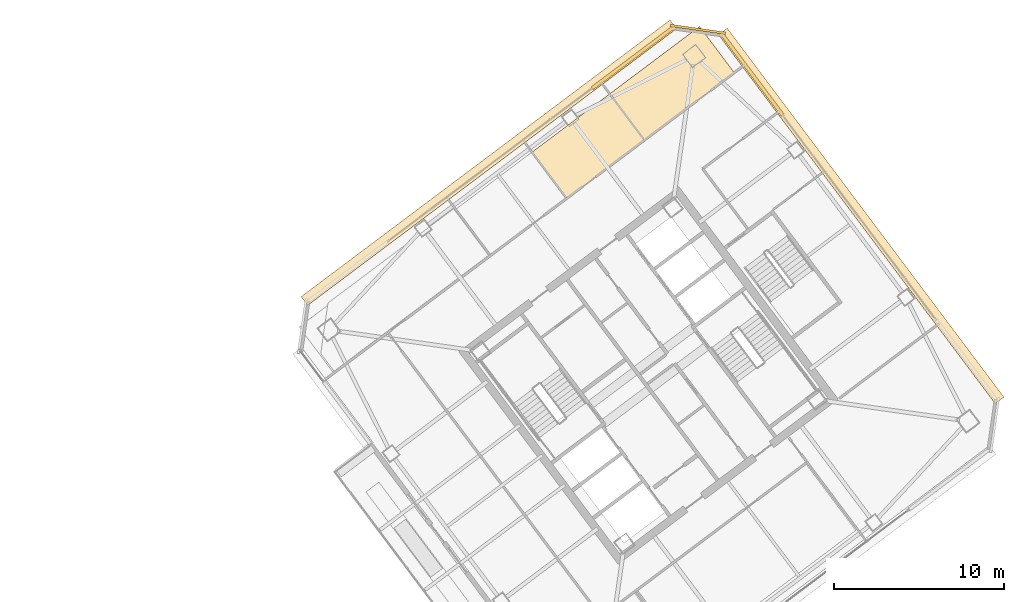
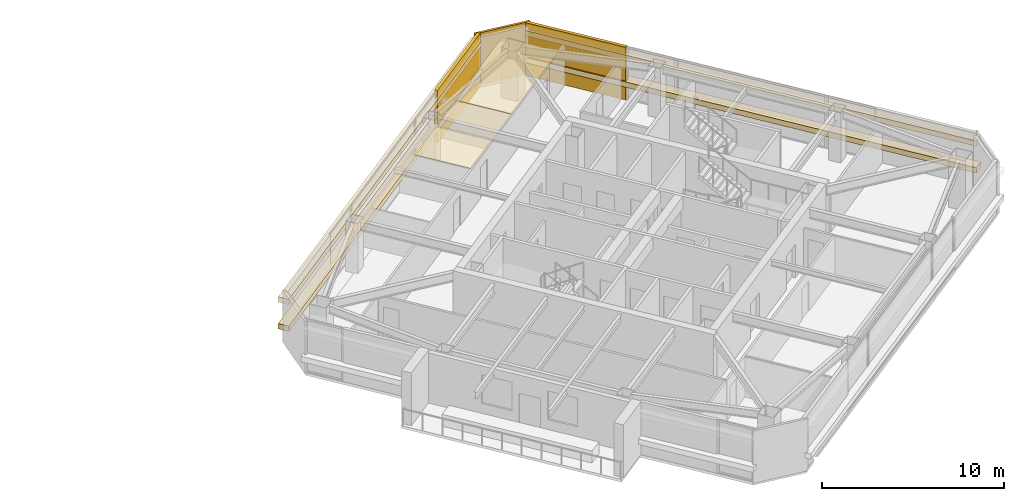
# One storey, part 39 of 40: 9 coverings.
"""IFC4 building model written with IfcOpenShell, lengths in metres."""

from ifc_helpers import new_model, si_unit, direction, frame, origin, origin_2d, place, context, subcontext, project, spatial, polyline, rectangle, outline, extrude, material, layer, layer_set, type_object, element, save


model = new_model("IFC4")

# Units and contexts
model_context = context("Model", 3, precision=1e-05, world=origin(), true_north=direction((0.0, 1.0)))
body_context = subcontext(model_context, "Body", "Model", "MODEL_VIEW")
ifc_project = project(units=[si_unit("LENGTHUNIT", "METRE"), si_unit("AREAUNIT", "SQUARE_METRE"), si_unit("VOLUMEUNIT", "CUBIC_METRE"), si_unit("PLANEANGLEUNIT", "RADIAN"), si_unit("MASSUNIT", "GRAM", prefix="KILO")], contexts=[model_context])

# Site, building, storey
site_placement = place(None, origin())
site = spatial("IfcSite", under=ifc_project, at=site_placement, CompositionType="ELEMENT")
building_placement = place(site_placement, origin())
building = spatial("IfcBuilding", under=site, at=building_placement, Name="Tashvorn Skyway Center", CompositionType="ELEMENT")
storey_placement = place(building_placement, frame((0.0, 0.0, 221.949951171875)))
storey = spatial("IfcBuildingStorey", under=building, at=storey_placement, Name="L60", CompositionType="ELEMENT", Elevation=221.949951171875)

# Coverings
ifc_material_1 = material(Name="Precast concrete C40/50", Category="concrete")
ifc_layer_1 = layer(ifc_material_1, 0.199951171875)
ifc_layer_set_1 = layer_set([ifc_layer_1], Name="Precast concrete C40/50")
covering_type_1 = type_object("IfcCoveringType", Name="COV-BRACE-CLAD", PredefinedType="CLADDING", material=ifc_layer_set_1)
for number, where, z_axis, x_axis, name in (
    (1, (113.099609375, 50.674560546875, 0.0), (0.0, 0.0, 1.0), (0.799999996291, 0.600000004945, 0.0), "Tower 2 L60 North Unitised Curtain Wall Mega-Brace Cladding Band 2"),
    (2, (120.09326171875, 49.675537109375, 0.0), (0.0, 0.0, 1.0), (0.600000004945, -0.799999996291, 0.0), "Tower 2 L60 East Unitised Curtain Wall Mega-Brace Cladding Band 1"),
):
    element("IfcCovering", number, at=place(storey_placement, frame(where, z_axis=z_axis, x_axis=x_axis)), inside=storey, type_object=covering_type_1, Name=name, PredefinedType="CLADDING", context=body_context, shape_type="SweptSolid", body=[
        extrude(rectangle(XDim=5.9912109375, YDim=0.199951171875, at=origin_2d()), origin(), (0.0, 0.0, 1.0), 3.550048828125),
    ])
ifc_material_2 = material(Name="Mineral-fibre acoustic ceiling tile on suspended grid")
ifc_layer_2 = layer(ifc_material_2, 0.02001953125)
ifc_layer_set_2 = layer_set([ifc_layer_2], Name="Mineral-fibre acoustic ceiling tile on suspended grid")
covering_type_2 = type_object("IfcCoveringType", Name="COV-CEIL-20", PredefinedType="CEILING", material=ifc_layer_set_2)
covering_1_placement = place(storey_placement, frame((0.0, 0.0, 2.703125)))
element("IfcCovering", 3, at=covering_1_placement, inside=storey, type_object=covering_type_2, Name="Tower 2 L60 Security Control Room Acoustic Ceiling", PredefinedType="CEILING", context=body_context, shape_type="SweptSolid", body=[
    extrude(outline(polyline([(109.199951171875, 42.39990234375), (113.760009765625, 45.820068359375), (111.719970703125, 48.5400390625), (107.159912109375, 45.1201171875), (109.199951171875, 42.39990234375)])), origin(), (0.0, 0.0, 1.0), 0.02001953125),
])
covering_2_placement = place(storey_placement, frame((0.0, 0.0, 2.703125)))
element("IfcCovering", 4, at=covering_2_placement, inside=storey, type_object=covering_type_2, Name="Tower 2 L60 Research Library Acoustic Ceiling", PredefinedType="CEILING", context=body_context, shape_type="SweptSolid", body=[
    extrude(outline(polyline([(113.760009765625, 45.820068359375), (119.0400390625, 49.780029296875), (117.0, 52.5), (111.719970703125, 48.5400390625), (113.760009765625, 45.820068359375)])), origin(), (0.0, 0.0, 1.0), 0.02001953125),
])
ifc_material_3 = material(Name="Perforated ceramic-coated bronze aluminium solar screen", Category="aluminium")
ifc_layer_3 = layer(ifc_material_3, 0.85009765625)
ifc_layer_set_3 = layer_set([ifc_layer_3], Name="Perforated ceramic-coated bronze aluminium solar screen")
covering_type_3 = type_object("IfcCoveringType", Name="COV-SOLAR-BAND", PredefinedType="CLADDING", material=ifc_layer_set_3)
for number, where, z_axis, x_axis, name in (
    (5, (104.6279296875, 44.49609375, 0.919921875), (0.0, 0.0, 1.0), (0.799999996291, 0.600000004945, 0.0), "L60 Perforated Ceramic-Metal Solar Screen Louvre Band North 1"),
    (6, (104.6279296875, 44.49609375, 2.72021484375), (0.0, 0.0, 1.0), (0.799999996291, 0.600000004945, 0.0), "L60 Perforated Ceramic-Metal Solar Screen Louvre Band North 2"),
    (7, (126.49609375, 41.3720703125, 0.919921875), (0.0, 0.0, 1.0), (0.600000004945, -0.799999996291, 0.0), "L60 Perforated Ceramic-Metal Solar Screen Louvre Band East 1"),
    (8, (126.49609375, 41.3720703125, 2.72021484375), (0.0, 0.0, 1.0), (0.600000004945, -0.799999996291, 0.0), "L60 Perforated Ceramic-Metal Solar Screen Louvre Band East 2"),
):
    element("IfcCovering", number, at=place(storey_placement, frame(where, z_axis=z_axis, x_axis=x_axis)), inside=storey, type_object=covering_type_3, Name=name, PredefinedType="CLADDING", context=body_context, shape_type="SweptSolid", body=[
        extrude(rectangle(XDim=27.080078125, YDim=0.639892578125, at=origin_2d()), origin(), (0.0, 0.0, 1.0), 0.360107421875),
    ])
ifc_layer_4 = layer(ifc_material_1, 0.35009765625)
ifc_layer_set_4 = layer_set([ifc_layer_4], Name="Precast concrete C40/50")
covering_type_4 = type_object("IfcCoveringType", Name="COV-STONE-TRIM", PredefinedType="CLADDING", material=ifc_layer_set_4)
covering_3_placement = place(storey_placement, frame((116.904052734375, 52.327880859375, 0.02001953125), z_axis=(0.0, 0.0, 1.0), x_axis=(0.989949494535, -0.141421350118, 0.0)))
element("IfcCovering", 9, at=covering_3_placement, inside=storey, type_object=covering_type_4, Name="Tower 2 L60 NE Mojave Limestone Corner Quoin", PredefinedType="CLADDING", context=body_context, shape_type="SweptSolid", body=[
    extrude(rectangle(XDim=3.271240234375, YDim=0.139892578125, at=origin_2d()), origin(), (0.0, 0.0, 1.0), 3.510009765625),
])

save(model, "model.ifc")
